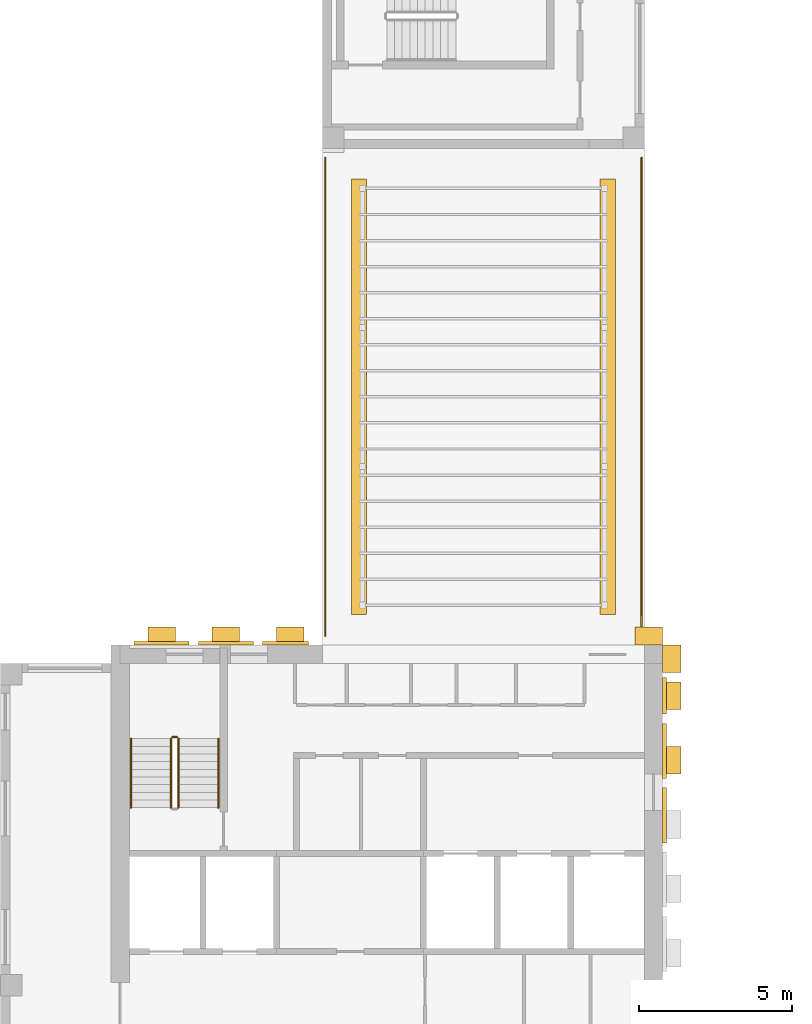
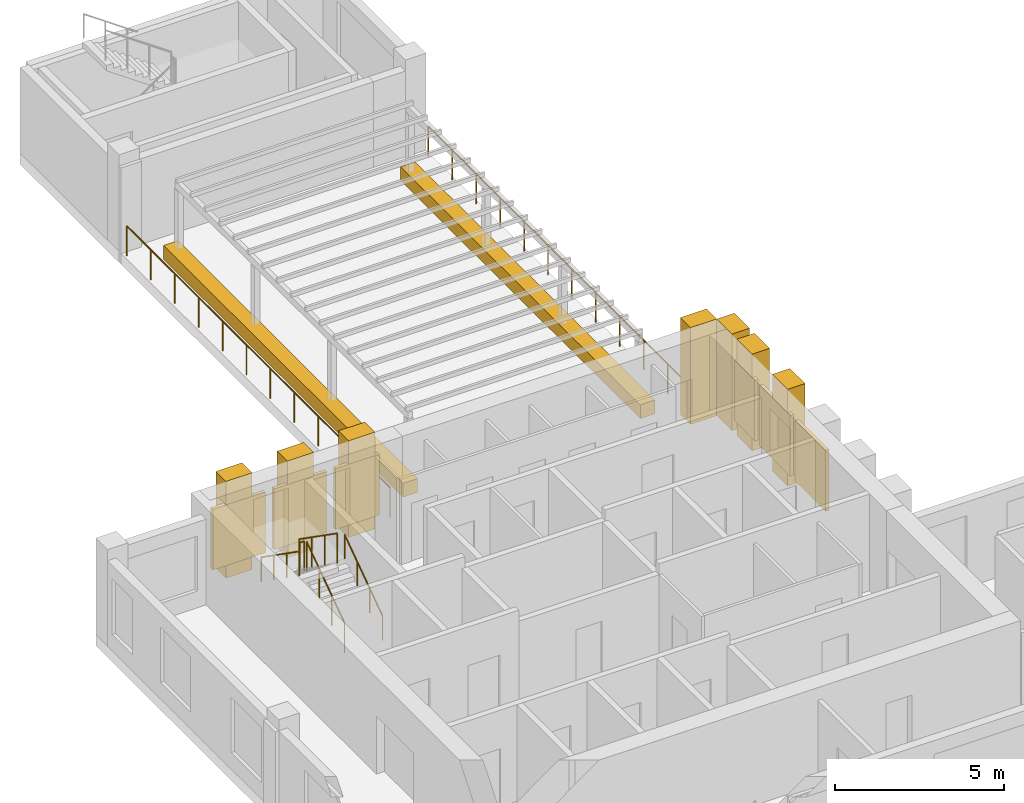
# One storey, part 7 of 9: 15 coverings, 7 railings.
"""IFC4 building model written with IfcOpenShell, lengths in metres."""

import ifcopenshell
import ifcopenshell.guid

model = None  # the IFC model being written
_history = None  # IfcOwnerHistory: only IFC2X3 demands one
_inside = {}  # id of a spatial element -> (the spatial element, [elements in it])
_under = {}  # id of a project, library or spatial element -> (it, [spatial elements below it])
_declared = {}  # id of a project -> (the project, [libraries it declares])
_typed = {}  # id of a type object -> (the type object, [elements of that type])
_made_of = {}  # id of a material, layer set ... -> (it, [elements and type objects made of it])


def new_model(schema):
    """Start an empty IFC model of exactly this schema.

    Asked for "IFC4X3", IfcOpenShell would pick the latest addendum, in which some entities
    have other attributes; the version numbers below select the first issue.
    IFC2X3 requires an IfcOwnerHistory on every rooted entity: one is made here for all.
    """
    global model, _history
    if schema == "IFC4X3":
        model = ifcopenshell.file(schema_version=(4, 3, 0, 0))
    else:
        model = ifcopenshell.file(schema=schema)
    _inside.clear()
    _under.clear()
    _declared.clear()
    _typed.clear()
    _made_of.clear()
    _history = None
    if model.schema == "IFC2X3":
        org = make("IfcOrganization", Name="unknown")
        user = make(
            "IfcPersonAndOrganization",
            ThePerson=make("IfcPerson", FamilyName="unknown"),
            TheOrganization=org,
        )
        app = make(
            "IfcApplication",
            ApplicationDeveloper=org,
            Version="unknown",
            ApplicationFullName="unknown",
            ApplicationIdentifier="unknown",
        )
        _history = make(
            "IfcOwnerHistory",
            OwningUser=user,
            OwningApplication=app,
            ChangeAction="ADDED",
            CreationDate=0,
        )
    return model


def make(cls, **values):
    """One entity of the class cls with the attributes given. An attribute that is None is left unset."""
    return model.create_entity(
        cls, **{name: value for name, value in values.items() if value is not None}
    )


def rooted(cls, **values):
    """An entity with a GlobalId (a new one), such as an element, a storey or a relation."""
    return make(cls, GlobalId=ifcopenshell.guid.new(), OwnerHistory=_history, **values)


def si_unit(unit_type, name, prefix=None):
    """IfcSIUnit, for example si_unit("LENGTHUNIT", "METRE", prefix="MILLI")."""
    return make("IfcSIUnit", UnitType=unit_type, Prefix=prefix, Name=name)


def assignment(units):
    """IfcUnitAssignment: the units of a project."""
    return None if units is None else make("IfcUnitAssignment", Units=units)


def point(xyz):
    """IfcCartesianPoint."""
    return None if xyz is None else make("IfcCartesianPoint", Coordinates=xyz)


def direction(xyz):
    """IfcDirection."""
    return None if xyz is None else make("IfcDirection", DirectionRatios=xyz)


def frame(location, z_axis=None, x_axis=None):
    """IfcAxis2Placement3D, a coordinate frame: its origin and axes. An axis left out is left unset."""
    return make(
        "IfcAxis2Placement3D",
        Location=point(location),
        Axis=direction(z_axis),
        RefDirection=direction(x_axis),
    )


def frame_2d(location, x_axis=None):
    """IfcAxis2Placement2D, a coordinate frame in the plane: its origin and x axis."""
    return make(
        "IfcAxis2Placement2D", Location=point(location), RefDirection=direction(x_axis)
    )


def origin():
    """The frame at (0, 0, 0) with its axes left unset."""
    return frame((0.0, 0.0, 0.0))


def origin_2d():
    """The frame at (0, 0) in the plane with its x axis left unset."""
    return frame_2d((0.0, 0.0))


def place(relative_to, where):
    """IfcLocalPlacement: puts the frame where relative to a parent placement (None: the world)."""
    return make(
        "IfcLocalPlacement", PlacementRelTo=relative_to, RelativePlacement=where
    )


def context(
    kind, dimensions, precision=None, world=None, true_north=None, identifier=None
):
    """IfcGeometricRepresentationContext, for example the 3D "Model" context."""
    return make(
        "IfcGeometricRepresentationContext",
        ContextIdentifier=identifier,
        ContextType=kind,
        CoordinateSpaceDimension=dimensions,
        Precision=precision,
        WorldCoordinateSystem=world,
        TrueNorth=true_north,
    )


def subcontext(parent, identifier, kind, view, scale=None):
    """IfcGeometricRepresentationSubContext, for example "Body" below "Model"."""
    return make(
        "IfcGeometricRepresentationSubContext",
        ContextIdentifier=identifier,
        ContextType=kind,
        ParentContext=parent,
        TargetScale=scale,
        TargetView=view,
    )


def project(units=None, contexts=None):
    """IfcProject with its units and contexts."""
    return rooted(
        "IfcProject",
        Name="project",
        RepresentationContexts=contexts,
        UnitsInContext=assignment(units),
    )


def spatial(cls, under=None, at=None, **own):
    """A site, building, storey or space (cls), placed at a placement, below another one or the project."""
    s = rooted(cls, ObjectPlacement=at, **own)
    if under is not None:
        _under.setdefault(under.id(), (under, []))[1].append(s)
    return s


def profile(cls, at=None, kind="AREA", **sizes):
    """A parametric profile (cls). Its sizes go by their IFC names, for example OverallWidth=200.0."""
    return make(cls, ProfileType=kind, Position=at, **sizes)


def rectangle(**sizes):
    """IfcRectangleProfileDef."""
    return profile("IfcRectangleProfileDef", **sizes)


def circle(**sizes):
    """IfcCircleProfileDef."""
    return profile("IfcCircleProfileDef", **sizes)


def extrude(swept, where, along, depth):
    """IfcExtrudedAreaSolid: the profile swept, set in the frame where, extruded along a direction by depth."""
    return make(
        "IfcExtrudedAreaSolid",
        SweptArea=swept,
        Position=where,
        ExtrudedDirection=direction(along),
        Depth=depth,
    )


def shape(context_of_items, identifier, shape_type, items):
    """IfcShapeRepresentation: the items that make up one representation, for example the "Body"."""
    return make(
        "IfcShapeRepresentation",
        ContextOfItems=context_of_items,
        RepresentationIdentifier=identifier,
        RepresentationType=shape_type,
        Items=items,
    )


def source(mapping_origin, context_of_items, identifier, shape_type, items):
    """IfcRepresentationMap: a shape defined once, which mapped items show again and again."""
    return make(
        "IfcRepresentationMap",
        MappingOrigin=mapping_origin,
        MappedRepresentation=shape(context_of_items, identifier, shape_type, items),
    )


def transform(
    local_origin,
    x_axis=None,
    y_axis=None,
    z_axis=None,
    scale=None,
    scale2=None,
    scale3=None,
    uniform=True,
):
    """IfcCartesianTransformationOperator3D, or its non-uniform kind. x_axis, y_axis, z_axis: its Axis1, 2, 3."""
    if uniform:
        return make(
            "IfcCartesianTransformationOperator3D",
            Axis1=direction(x_axis),
            Axis2=direction(y_axis),
            LocalOrigin=point(local_origin),
            Scale=scale,
            Axis3=direction(z_axis),
        )
    return make(
        "IfcCartesianTransformationOperator3DnonUniform",
        Axis1=direction(x_axis),
        Axis2=direction(y_axis),
        LocalOrigin=point(local_origin),
        Scale=scale,
        Axis3=direction(z_axis),
        Scale2=scale2,
        Scale3=scale3,
    )


def mapped(mapping_source, mapping_target):
    """IfcMappedItem: shows the shape of a source again, moved by a transform."""
    return make(
        "IfcMappedItem", MappingSource=mapping_source, MappingTarget=mapping_target
    )


def material(Name=None, Category=None):
    """IfcMaterial."""
    return make("IfcMaterial", Name=Name, Category=Category)


def made_of(thing, what):
    """Note that an element or type object is made of a material, layer set ...; save() writes the relation."""
    if what is not None:
        _made_of.setdefault(what.id(), (what, []))[1].append(thing)
    return thing


def type_object(cls, material=None, **own):
    """A type object (cls), such as IfcWallType, which elements share."""
    return made_of(rooted(cls, **own), material)


def element(
    cls,
    number,
    at=None,
    inside=None,
    cuts=None,
    type_object=None,
    material=None,
    context=None,
    identifier="Body",
    shape_type=None,
    held_by="IfcProductDefinitionShape",
    body=None,
    shapes=None,
    **own,
):
    """One element of the class cls, such as IfcWall. Its Tag is "e" and its number.

    at: its placement. inside: the storey or other place that contains it. cuts: it is an
    opening in that element (IfcRelVoidsElement). A single representation is given by context,
    identifier, shape_type and body (its items); several are given by shapes. held_by: the class
    of the entity that holds the representations. save() writes the other relations.
    """
    e = rooted(cls, Tag="e%d" % number, ObjectPlacement=at, **own)
    if body is not None:
        shapes = [shape(context, identifier, shape_type, body)]
    if shapes is not None:
        e.Representation = make(held_by, Representations=shapes)
    if inside is not None:
        _inside.setdefault(inside.id(), (inside, []))[1].append(e)
    if cuts is not None:
        rooted(
            "IfcRelVoidsElement", RelatingBuildingElement=cuts, RelatedOpeningElement=e
        )
    if type_object is not None:
        _typed.setdefault(type_object.id(), (type_object, []))[1].append(e)
    return made_of(e, material)


def aggregate(whole, parts):
    """IfcRelAggregates: a whole, such as a stair, and the parts it consists of."""
    return rooted("IfcRelAggregates", RelatingObject=whole, RelatedObjects=parts)


def save(model, path):
    """Write the relations noted so far, then the file.

    IfcRelAggregates (storeys below a building ...), IfcRelContainedInSpatialStructure (elements
    in a storey), IfcRelDefinesByType, IfcRelAssociatesMaterial and IfcRelDeclares: one each for
    every whole, place, type object, material and project.
    """
    for whole, parts in _under.values():
        aggregate(whole, parts)
    for where, things in _inside.values():
        rooted(
            "IfcRelContainedInSpatialStructure",
            RelatedElements=things,
            RelatingStructure=where,
        )
    for kind, things in _typed.values():
        rooted("IfcRelDefinesByType", RelatedObjects=things, RelatingType=kind)
    for what, things in _made_of.values():
        rooted("IfcRelAssociatesMaterial", RelatedObjects=things, RelatingMaterial=what)
    for by, libraries in _declared.values():
        rooted("IfcRelDeclares", RelatingContext=by, RelatedDefinitions=libraries)
    model.write(path)


model = new_model("IFC4")

# Units and contexts
model_context = context("Model", 3, precision=1e-05, world=origin(), true_north=direction((0.0, 1.0)))
body_context = subcontext(model_context, "Body", "Model", "MODEL_VIEW")
ifc_project = project(units=[si_unit("LENGTHUNIT", "METRE"), si_unit("AREAUNIT", "SQUARE_METRE"), si_unit("VOLUMEUNIT", "CUBIC_METRE"), si_unit("PLANEANGLEUNIT", "RADIAN"), si_unit("MASSUNIT", "GRAM", prefix="KILO")], contexts=[model_context])

# Site, building, storey
site_placement = place(None, origin())
site = spatial("IfcSite", under=ifc_project, at=site_placement, CompositionType="ELEMENT")
building_placement = place(site_placement, origin())
building = spatial("IfcBuilding", under=site, at=building_placement, Name="Aurelian Terraces", CompositionType="ELEMENT")
storey_placement = place(building_placement, frame((0.0, 0.0, 309.0)))
storey = spatial("IfcBuildingStorey", under=building, at=storey_placement, Name="L71", CompositionType="ELEMENT", Elevation=309.0)

# Railing
ifc_material_1 = material(Name="Anodised aluminium", Category="aluminium")
railing_type_1 = type_object("IfcRailingType", Name="GUARD-1100", PredefinedType="GUARDRAIL", material=ifc_material_1)
railing_1_placement = place(storey_placement, frame((20.91, 37.5, 0.0)))
element("IfcRailing", 1, at=railing_1_placement, inside=storey, type_object=railing_type_1, Name="Terrace guard L71 BLADE-W-T1.2", PredefinedType="GUARDRAIL", context=body_context, shape_type="SweptSolid", body=[
    extrude(circle(Radius=0.024, at=origin_2d()), frame((0.0, 0.0, 1.076), z_axis=(0.0, -1.0, 0.0), x_axis=(1.0, 0.0, 0.0)), (0.0, 0.0, 1.0), 15.6),
    extrude(circle(Radius=0.021, at=origin_2d()), origin(), (0.0, 0.0, 1.0), 1.052),
    extrude(circle(Radius=0.021, at=origin_2d()), frame((0.0, -1.4182, 0.0)), (0.0, 0.0, 1.0), 1.052),
    extrude(circle(Radius=0.021, at=origin_2d()), frame((0.0, -2.8364, 0.0)), (0.0, 0.0, 1.0), 1.052),
    extrude(circle(Radius=0.021, at=origin_2d()), frame((0.0, -4.2545, 0.0)), (0.0, 0.0, 1.0), 1.052),
    extrude(circle(Radius=0.021, at=origin_2d()), frame((0.0, -5.6727, 0.0)), (0.0, 0.0, 1.0), 1.052),
    extrude(circle(Radius=0.021, at=origin_2d()), frame((0.0, -7.0909, 0.0)), (0.0, 0.0, 1.0), 1.052),
    extrude(circle(Radius=0.021, at=origin_2d()), frame((0.0, -8.5091, 0.0)), (0.0, 0.0, 1.0), 1.052),
    extrude(circle(Radius=0.021, at=origin_2d()), frame((0.0, -9.9273, 0.0)), (0.0, 0.0, 1.0), 1.052),
    extrude(circle(Radius=0.021, at=origin_2d()), frame((0.0, -11.3455, 0.0)), (0.0, 0.0, 1.0), 1.052),
    extrude(circle(Radius=0.021, at=origin_2d()), frame((0.0, -12.7636, 0.0)), (0.0, 0.0, 1.0), 1.052),
    extrude(circle(Radius=0.021, at=origin_2d()), frame((0.0, -14.1818, 0.0)), (0.0, 0.0, 1.0), 1.052),
    extrude(circle(Radius=0.021, at=origin_2d()), frame((0.0, -15.6, 0.0)), (0.0, 0.0, 1.0), 1.052),
])

# Coverings
ifc_material_2 = material(Name="Terracotta rainscreen cladding louvre blades", Category="masonry")
covering_type_1 = type_object("IfcCoveringType", Name="LOUVRE-TC", PredefinedType="CLADDING", material=ifc_material_2)
shared_shape_1 = source(origin(), body_context, "Body", "SweptSolid", [
    extrude(rectangle(XDim=0.12, YDim=1.8, at=origin_2d()), origin(), (0.0, 0.0, 1.0), 2.2),
])
for number, where, z_axis, x_axis, name in (
    (2, (21.66, 16.05, 0.45), (0.0, 0.0, 1.0), (1.0, 0.0, 0.0), "LOUVRE L71 core face E.3"),
    (3, (21.66, 18.15, 0.45), (0.0, 0.0, 1.0), (1.0, 0.0, 0.0), "LOUVRE L71 core face E.4"),
):
    element("IfcCovering", number, at=place(storey_placement, frame(where, z_axis=z_axis, x_axis=x_axis)), inside=storey, type_object=covering_type_1, Name=name, PredefinedType="CLADDING", context=body_context, shape_type="MappedRepresentation", body=[
        mapped(shared_shape_1, transform((0.0, 0.0, 0.0), scale=1.0)),
    ])
shared_shape_2 = source(origin(), body_context, "Body", "SweptSolid", [
    extrude(rectangle(XDim=1.8, YDim=0.12, at=origin_2d()), origin(), (0.0, 0.0, 1.0), 2.2),
])
for number, where, z_axis, x_axis, name in (
    (4, (5.25, 21.66, 0.45), (0.0, 0.0, 1.0), (1.0, 0.0, 0.0), "LOUVRE L71 core face N.1"),
    (5, (7.35, 21.66, 0.45), (0.0, 0.0, 1.0), (1.0, 0.0, 0.0), "LOUVRE L71 core face N.2"),
):
    element("IfcCovering", number, at=place(storey_placement, frame(where, z_axis=z_axis, x_axis=x_axis)), inside=storey, type_object=covering_type_1, Name=name, PredefinedType="CLADDING", context=body_context, shape_type="MappedRepresentation", body=[
        mapped(shared_shape_2, transform((0.0, 0.0, 0.0), scale=1.0)),
    ])
shared_shape_3 = source(origin(), body_context, "Body", "SweptSolid", [
    extrude(rectangle(XDim=0.12, YDim=1.2, at=origin_2d()), origin(), (0.0, 0.0, 1.0), 2.2),
])
covering_1_placement = place(storey_placement, frame((21.66, 19.95, 0.45), z_axis=(0.0, 0.0, 1.0), x_axis=(1.0, 0.0, 0.0)))
element("IfcCovering", 6, at=covering_1_placement, inside=storey, type_object=covering_type_1, Name="LOUVRE L71 core face E.5", PredefinedType="CLADDING", context=body_context, shape_type="MappedRepresentation", body=[
    mapped(shared_shape_3, transform((0.0, 0.0, 0.0), scale=1.0)),
])
shared_shape_4 = source(origin(), body_context, "Body", "SweptSolid", [
    extrude(rectangle(XDim=1.5, YDim=0.12, at=origin_2d()), origin(), (0.0, 0.0, 1.0), 2.2),
])
covering_2_placement = place(storey_placement, frame((9.3, 21.66, 0.45), z_axis=(0.0, 0.0, 1.0), x_axis=(1.0, 0.0, 0.0)))
element("IfcCovering", 7, at=covering_2_placement, inside=storey, type_object=covering_type_1, Name="LOUVRE L71 core face N.3", PredefinedType="CLADDING", context=body_context, shape_type="MappedRepresentation", body=[
    mapped(shared_shape_4, transform((0.0, 0.0, 0.0), scale=1.0)),
])

# Railing
shared_shape_5 = source(origin(), body_context, "Body", "SweptSolid", [
    extrude(circle(Radius=0.024, at=origin_2d()), frame((0.0, 0.0, 1.076), z_axis=(0.0, 1.0, 0.0), x_axis=(-1.0, 0.0, 0.0)), (0.0, 0.0, 1.0), 15.6),
    extrude(circle(Radius=0.021, at=origin_2d()), origin(), (0.0, 0.0, 1.0), 1.052),
    extrude(circle(Radius=0.021, at=origin_2d()), frame((0.0, 1.4182, 0.0)), (0.0, 0.0, 1.0), 1.052),
    extrude(circle(Radius=0.021, at=origin_2d()), frame((0.0, 2.8364, 0.0)), (0.0, 0.0, 1.0), 1.052),
    extrude(circle(Radius=0.021, at=origin_2d()), frame((0.0, 4.2545, 0.0)), (0.0, 0.0, 1.0), 1.052),
    extrude(circle(Radius=0.021, at=origin_2d()), frame((0.0, 5.6727, 0.0)), (0.0, 0.0, 1.0), 1.052),
    extrude(circle(Radius=0.021, at=origin_2d()), frame((0.0, 7.0909, 0.0)), (0.0, 0.0, 1.0), 1.052),
    extrude(circle(Radius=0.021, at=origin_2d()), frame((0.0, 8.5091, 0.0)), (0.0, 0.0, 1.0), 1.052),
    extrude(circle(Radius=0.021, at=origin_2d()), frame((0.0, 9.9273, 0.0)), (0.0, 0.0, 1.0), 1.052),
    extrude(circle(Radius=0.021, at=origin_2d()), frame((0.0, 11.3455, 0.0)), (0.0, 0.0, 1.0), 1.052),
    extrude(circle(Radius=0.021, at=origin_2d()), frame((0.0, 12.7636, 0.0)), (0.0, 0.0, 1.0), 1.052),
    extrude(circle(Radius=0.021, at=origin_2d()), frame((0.0, 14.1818, 0.0)), (0.0, 0.0, 1.0), 1.052),
    extrude(circle(Radius=0.021, at=origin_2d()), frame((0.0, 15.6, 0.0)), (0.0, 0.0, 1.0), 1.052),
])
railing_2_placement = place(storey_placement, frame((10.59, 21.9, 0.0)))
element("IfcRailing", 8, at=railing_2_placement, inside=storey, type_object=railing_type_1, Name="Terrace guard L71 BLADE-W-T1.1", PredefinedType="GUARDRAIL", context=body_context, shape_type="MappedRepresentation", body=[
    mapped(shared_shape_5, transform((0.0, 0.0, 0.0), scale=1.0)),
])

# Coverings
ifc_material_3 = material(Name="Terracotta planter with planting soil", Category="masonry")
covering_type_2 = type_object("IfcCoveringType", Name="PLANTER-TROUGH", PredefinedType="USERDEFINED", material=ifc_material_3)
shared_shape_6 = source(origin(), body_context, "Body", "SweptSolid", [
    extrude(rectangle(XDim=0.5, YDim=14.2, at=origin_2d()), origin(), (0.0, 0.0, 1.0), 0.5),
])
for number, where, z_axis, x_axis, name in (
    (9, (11.69, 29.7, 0.0), (0.0, 0.0, 1.0), (1.0, 0.0, 0.0), "PLANTER L71 terrace BLADE-W-T1-0.1"),
    (10, (19.81, 29.7, 0.0), (0.0, 0.0, 1.0), (1.0, 0.0, 0.0), "PLANTER L71 terrace BLADE-W-T1-1.1"),
):
    element("IfcCovering", number, at=place(storey_placement, frame(where, z_axis=z_axis, x_axis=x_axis)), inside=storey, type_object=covering_type_2, Name=name, ObjectType="PLANTER", PredefinedType="USERDEFINED", context=body_context, shape_type="MappedRepresentation", body=[
        mapped(shared_shape_6, transform((0.0, 0.0, 0.0), scale=1.0)),
    ])

# Railings
ifc_material_4 = material(Name="Stainless steel", Category="steel")
railing_type_2 = type_object("IfcRailingType", Name="Stair guard 1100", PredefinedType="GUARDRAIL", material=ifc_material_4)
shared_shape_7 = source(origin(), body_context, "Body", "SweptSolid", [
    extrude(circle(Radius=0.024, at=origin_2d()), frame((0.0, 0.0, 1.076), z_axis=(-1.0, 0.0, 0.0), x_axis=(0.0, -1.0, 0.0)), (0.0, 0.0, 1.0), 0.15),
    extrude(circle(Radius=0.021, at=origin_2d()), origin(), (0.0, 0.0, 1.0), 1.052),
    extrude(circle(Radius=0.021, at=origin_2d()), frame((-0.15, 0.0, 0.0)), (0.0, 0.0, 1.0), 1.052),
])
railing_3_placement = place(storey_placement, frame((5.75, 18.6, 1.75)))
element("IfcRailing", 11, at=railing_3_placement, inside=storey, type_object=railing_type_2, Name="L71 S1 stair guard 2", PredefinedType="GUARDRAIL", context=body_context, shape_type="MappedRepresentation", body=[
    mapped(shared_shape_7, transform((0.0, 0.0, 0.0), scale=1.0)),
])
shared_shape_8 = source(origin(), body_context, "Body", "SweptSolid", [
    extrude(circle(Radius=0.024, at=origin_2d()), frame((0.0, 0.0, 1.076), z_axis=(0.0, 0.819231920519, 0.573462344363), x_axis=(-1.0, 0.0, 0.0)), (0.0, 0.0, 1.0), 2.7465),
    extrude(circle(Radius=0.021, at=origin_2d()), origin(), (0.0, 0.0, 1.0), 1.052),
    extrude(circle(Radius=0.021, at=origin_2d()), frame((0.0, 0.75, 0.525)), (0.0, 0.0, 1.0), 1.052),
    extrude(circle(Radius=0.021, at=origin_2d()), frame((0.0, 1.5, 1.05)), (0.0, 0.0, 1.0), 1.052),
    extrude(circle(Radius=0.021, at=origin_2d()), frame((0.0, 2.25, 1.575)), (0.0, 0.0, 1.0), 1.052),
])
railing_4_placement = place(storey_placement, frame((5.8, 16.3, 0.175)))
element("IfcRailing", 12, at=railing_4_placement, inside=storey, type_object=railing_type_2, Name="L71 S1 stair guard 1", PredefinedType="GUARDRAIL", context=body_context, shape_type="MappedRepresentation", body=[
    mapped(shared_shape_8, transform((0.0, 0.0, 0.0), scale=1.0)),
])
shared_shape_9 = source(origin(), body_context, "Body", "SweptSolid", [
    extrude(circle(Radius=0.024, at=origin_2d()), frame((0.0, 0.0, 1.076), z_axis=(0.0, -0.819231920519, 0.573462344363), x_axis=(1.0, 0.0, 0.0)), (0.0, 0.0, 1.0), 2.7465),
    extrude(circle(Radius=0.021, at=origin_2d()), origin(), (0.0, 0.0, 1.0), 1.052),
    extrude(circle(Radius=0.021, at=origin_2d()), frame((0.0, -0.75, 0.525)), (0.0, 0.0, 1.0), 1.052),
    extrude(circle(Radius=0.021, at=origin_2d()), frame((0.0, -1.5, 1.05)), (0.0, 0.0, 1.0), 1.052),
    extrude(circle(Radius=0.021, at=origin_2d()), frame((0.0, -2.25, 1.575)), (0.0, 0.0, 1.0), 1.052),
])
railing_5_placement = place(storey_placement, frame((5.55, 18.55, 1.925)))
element("IfcRailing", 13, at=railing_5_placement, inside=storey, type_object=railing_type_2, Name="L71 S1 stair guard 3", PredefinedType="GUARDRAIL", context=body_context, shape_type="MappedRepresentation", body=[
    mapped(shared_shape_9, transform((0.0, 0.0, 0.0), scale=1.0)),
])
railing_type_3 = type_object("IfcRailingType", Name="Stair handrail", PredefinedType="HANDRAIL", material=ifc_material_4)
shared_shape_10 = source(origin(), body_context, "Body", "SweptSolid", [
    extrude(circle(Radius=0.024, at=origin_2d()), frame((0.0, 0.0, 0.876), z_axis=(0.0, 0.819231920519, 0.573462344363), x_axis=(-1.0, 0.0, 0.0)), (0.0, 0.0, 1.0), 2.7465),
    extrude(circle(Radius=0.021, at=origin_2d()), origin(), (0.0, 0.0, 1.0), 0.852),
    extrude(circle(Radius=0.021, at=origin_2d()), frame((0.0, 0.75, 0.525)), (0.0, 0.0, 1.0), 0.852),
    extrude(circle(Radius=0.021, at=origin_2d()), frame((0.0, 1.5, 1.05)), (0.0, 0.0, 1.0), 0.852),
    extrude(circle(Radius=0.021, at=origin_2d()), frame((0.0, 2.25, 1.575)), (0.0, 0.0, 1.0), 0.852),
])
railing_6_placement = place(storey_placement, frame((7.1, 16.3, 0.175)))
element("IfcRailing", 14, at=railing_6_placement, inside=storey, type_object=railing_type_3, Name="L71 S1 stair handrail 1", PredefinedType="HANDRAIL", context=body_context, shape_type="MappedRepresentation", body=[
    mapped(shared_shape_10, transform((0.0, 0.0, 0.0), scale=1.0)),
])
shared_shape_11 = source(origin(), body_context, "Body", "SweptSolid", [
    extrude(circle(Radius=0.024, at=origin_2d()), frame((0.0, 0.0, 0.876), z_axis=(0.0, -0.819231920519, 0.573462344363), x_axis=(1.0, 0.0, 0.0)), (0.0, 0.0, 1.0), 2.7465),
    extrude(circle(Radius=0.021, at=origin_2d()), origin(), (0.0, 0.0, 1.0), 0.852),
    extrude(circle(Radius=0.021, at=origin_2d()), frame((0.0, -0.75, 0.525)), (0.0, 0.0, 1.0), 0.852),
    extrude(circle(Radius=0.021, at=origin_2d()), frame((0.0, -1.5, 1.05)), (0.0, 0.0, 1.0), 0.852),
    extrude(circle(Radius=0.021, at=origin_2d()), frame((0.0, -2.25, 1.575)), (0.0, 0.0, 1.0), 0.852),
])
railing_7_placement = place(storey_placement, frame((4.25, 18.55, 1.925)))
element("IfcRailing", 15, at=railing_7_placement, inside=storey, type_object=railing_type_3, Name="L71 S1 stair handrail 2", PredefinedType="HANDRAIL", context=body_context, shape_type="MappedRepresentation", body=[
    mapped(shared_shape_11, transform((0.0, 0.0, 0.0), scale=1.0)),
])

# Coverings
ifc_material_5 = material(Name="Terracotta rainscreen cladding relief", Category="masonry")
covering_type_3 = type_object("IfcCoveringType", Name="Core spine pier 900x600", PredefinedType="CLADDING", material=ifc_material_5)
shared_shape_12 = source(origin(), body_context, "Body", "SweptSolid", [
    extrude(rectangle(XDim=0.6, YDim=0.9, at=origin_2d()), origin(), (0.0, 0.0, 1.0), 3.5),
])
for number, where, z_axis, x_axis, name in (
    (16, (21.9, 17.85, 0.0), (0.0, 0.0, 1.0), (1.0, 0.0, 0.0), "Spine pier L71 E4"),
    (17, (21.9, 19.95, 0.0), (0.0, 0.0, 1.0), (1.0, 0.0, 0.0), "Spine pier L71 E5"),
    (18, (21.9, 21.15, 0.0), (0.0, 0.0, 1.0), (1.0, 0.0, 0.0), "Spine pier L71 corner east"),
):
    element("IfcCovering", number, at=place(storey_placement, frame(where, z_axis=z_axis, x_axis=x_axis)), inside=storey, type_object=covering_type_3, Name=name, PredefinedType="CLADDING", context=body_context, shape_type="MappedRepresentation", body=[
        mapped(shared_shape_12, transform((0.0, 0.0, 0.0), scale=1.0)),
    ])
shared_shape_13 = source(origin(), body_context, "Body", "SweptSolid", [
    extrude(rectangle(XDim=0.9, YDim=0.6, at=origin_2d()), origin(), (0.0, 0.0, 1.0), 3.5),
])
for number, where, z_axis, x_axis, name in (
    (19, (5.25, 21.9, 0.0), (0.0, 0.0, 1.0), (1.0, 0.0, 0.0), "Spine pier L71 N6"),
    (20, (7.35, 21.9, 0.0), (0.0, 0.0, 1.0), (1.0, 0.0, 0.0), "Spine pier L71 N7"),
    (21, (9.45, 21.9, 0.0), (0.0, 0.0, 1.0), (1.0, 0.0, 0.0), "Spine pier L71 N8"),
    (22, (21.15, 21.9, 0.0), (0.0, 0.0, 1.0), (1.0, 0.0, 0.0), "Spine pier L71 corner north"),
):
    element("IfcCovering", number, at=place(storey_placement, frame(where, z_axis=z_axis, x_axis=x_axis)), inside=storey, type_object=covering_type_3, Name=name, PredefinedType="CLADDING", context=body_context, shape_type="MappedRepresentation", body=[
        mapped(shared_shape_13, transform((0.0, 0.0, 0.0), scale=1.0)),
    ])

save(model, "model.ifc")
